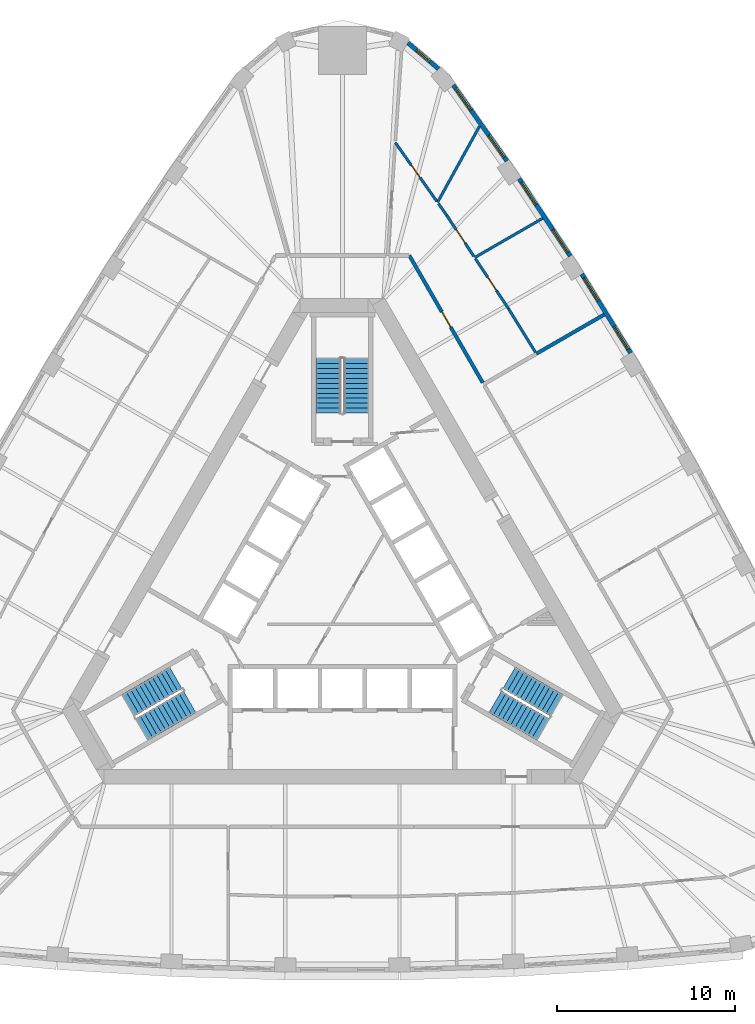
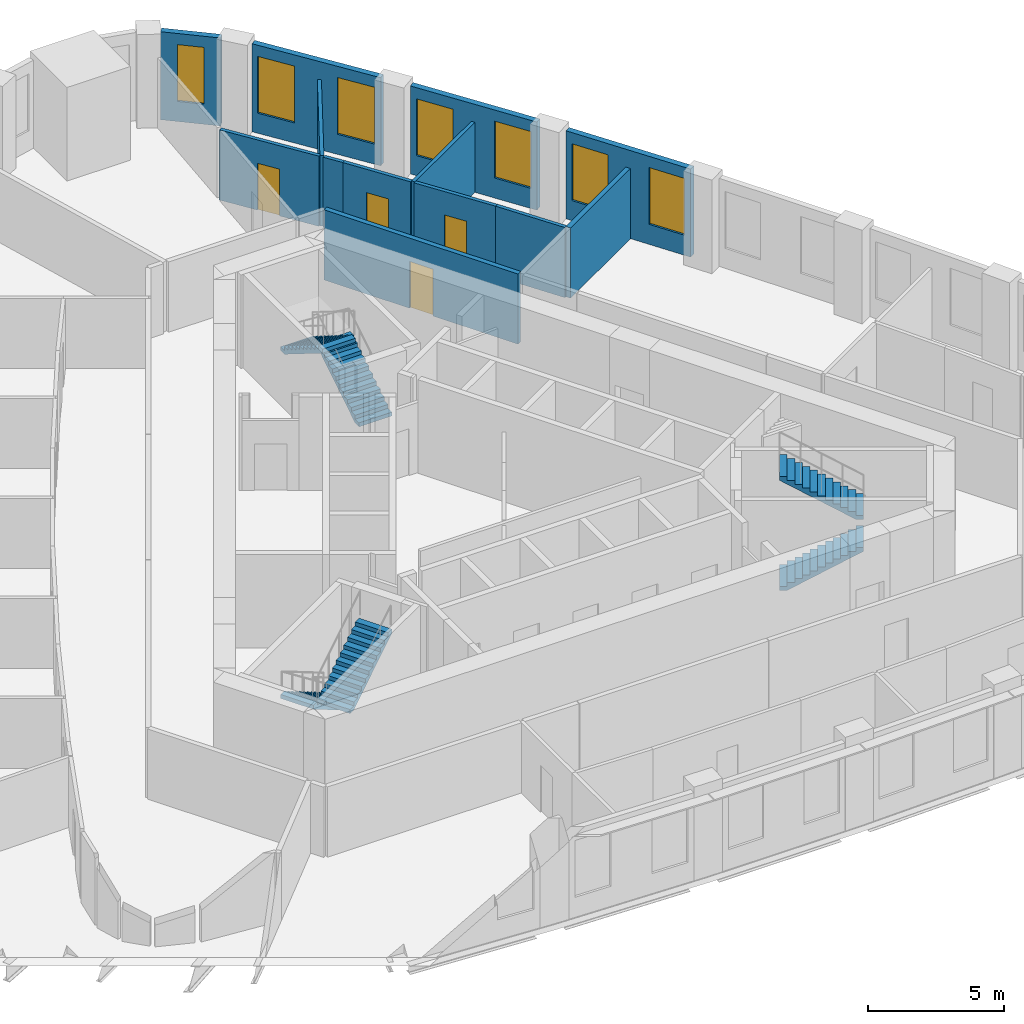
# One storey, part 10 of 11: 13 walls, 7 windows, 6 stair flights, 4 doors, 11 openings, 3 elements without a shape of their own.
"""IFC4 building model written with IfcOpenShell, lengths in metres."""

from ifc_helpers import new_model, si_unit, direction, frame, frame_2d, origin, place, context, subcontext, project, spatial, polyline, rectangle, outline, extrude, material, layer, layer_set, type_object, element, fill, aggregate, save


model = new_model("IFC4")

# Units and contexts
model_context = context("Model", 3, precision=1e-05, world=origin(), true_north=direction((0.0, 1.0)))
body_context = subcontext(model_context, "Body", "Model", "MODEL_VIEW")
ifc_project = project(units=[si_unit("LENGTHUNIT", "METRE"), si_unit("AREAUNIT", "SQUARE_METRE"), si_unit("VOLUMEUNIT", "CUBIC_METRE"), si_unit("PLANEANGLEUNIT", "RADIAN"), si_unit("MASSUNIT", "GRAM", prefix="KILO")], contexts=[model_context])

# Site, building, storey
site_placement = place(None, origin())
site = spatial("IfcSite", under=ifc_project, at=site_placement, CompositionType="ELEMENT")
building_placement = place(site_placement, origin())
building = spatial("IfcBuilding", under=site, at=building_placement, Name="Mestral Congress Tower", CompositionType="ELEMENT")
storey_placement = place(building_placement, frame((0.0, 0.0, 171.0)))
storey = spatial("IfcBuildingStorey", under=building, at=storey_placement, Name="L40", CompositionType="ELEMENT", Elevation=171.0)

# Wall, openings, windows
ifc_material_1 = material(Name="Precast concrete C40/50 with limestone facing", Category="masonry")
ifc_layer_1 = layer(ifc_material_1, 0.239990234375)
ifc_layer_set_1 = layer_set([ifc_layer_1], Name="Precast concrete C40/50 with limestone facing")
wall_type_1 = type_object("IfcWallType", Name="Facade stone wall 240", PredefinedType="SOLIDWALL", material=ifc_layer_set_1)
wall_1_placement = place(storey_placement, frame((16.170654296875, 13.731201171875, 0.0), z_axis=(0.0, 0.0, 1.0), x_axis=(-0.526197926587, 0.850362124072, 0.0)))
wall_1 = element("IfcWall", 1, at=wall_1_placement, inside=storey, type_object=wall_type_1, Name="Facade wall F1-04", PredefinedType="SOLIDWALL", context=body_context, shape_type="SweptSolid", body=[
    extrude(rectangle(XDim=5.203369140625, YDim=0.239990234375, at=frame_2d((2.6015625, 0.0))), origin(), (0.0, 0.0, 1.0), 3.949951171875),
])
opening_1_placement = place(wall_1_placement, frame((0.248291015625, 0.0, 0.89990234375)))
opening_1 = element("IfcOpeningElement", 2, at=opening_1_placement, cuts=wall_1, Name="Opening W4", PredefinedType="OPENING", context=body_context, shape_type="SweptSolid", body=[
    extrude(rectangle(XDim=1.5, YDim=2.550048828125, at=frame_2d((0.75, 1.27490234375))), frame((0.0, 0.1298828125, 0.0), z_axis=(0.0, -1.0, 0.0), x_axis=(1.0, 0.0, 0.0)), (0.0, 0.0, 1.0), 0.260009765625),
])
opening_2_placement = place(wall_1_placement, frame((3.455078125, 0.0, 0.89990234375)))
opening_2 = element("IfcOpeningElement", 3, at=opening_2_placement, cuts=wall_1, Name="Opening W4", PredefinedType="OPENING", context=body_context, shape_type="SweptSolid", body=[
    extrude(rectangle(XDim=1.5, YDim=2.550048828125, at=frame_2d((0.75, 1.27490234375))), frame((0.0, 0.1298828125, 0.0), z_axis=(0.0, -1.0, 0.0), x_axis=(1.0, 0.0, 0.0)), (0.0, 0.0, 1.0), 0.260009765625),
])
ifc_material_2 = material(Name="Clear low-emissivity double glazing", Category="glass")
window_type_1 = type_object("IfcWindowType", Name="Facade punched window 1500 x 2550 sill 900", PartitioningType="SINGLE_PANEL", PredefinedType="WINDOW", material=ifc_material_2)
window_1_placement = place(opening_1_placement, origin())
window_1 = element("IfcWindow", 4, at=window_1_placement, inside=storey, type_object=window_type_1, Name="Window F1-04a", OverallHeight=2.550048828125, OverallWidth=1.5, PartitioningType="SINGLE_PANEL", PredefinedType="WINDOW", context=body_context, shape_type="SweptSolid", body=[
    extrude(rectangle(XDim=1.5, YDim=2.550048828125, at=frame_2d((0.75, 1.27490234375))), frame((0.0, 0.0400390625, 0.0), z_axis=(0.0, -1.0, 0.0), x_axis=(1.0, 0.0, 0.0)), (0.0, 0.0, 1.0), 0.06005859375),
])
fill(opening_1, window_1)
window_2_placement = place(opening_2_placement, origin())
window_2 = element("IfcWindow", 5, at=window_2_placement, inside=storey, type_object=window_type_1, Name="Window F1-04b", OverallHeight=2.550048828125, OverallWidth=1.5, PartitioningType="SINGLE_PANEL", PredefinedType="WINDOW", context=body_context, shape_type="SweptSolid", body=[
    extrude(rectangle(XDim=1.5, YDim=2.550048828125, at=frame_2d((0.75, 1.27490234375))), frame((0.0, 0.0400390625, 0.0), z_axis=(0.0, -1.0, 0.0), x_axis=(1.0, 0.0, 0.0)), (0.0, 0.0, 1.0), 0.06005859375),
])
fill(opening_2, window_2)

wall_2_placement = place(storey_placement, frame((12.783203125, 19.170654296875, 0.0), z_axis=(0.0, 0.0, 1.0), x_axis=(-0.551892811511, 0.833915058386, 0.0)))
wall_2 = element("IfcWall", 6, at=wall_2_placement, inside=storey, type_object=wall_type_1, Name="Facade wall F1-05", PredefinedType="SOLIDWALL", context=body_context, shape_type="SweptSolid", body=[
    extrude(rectangle(XDim=5.20361328125, YDim=0.239990234375, at=frame_2d((2.601806640625, 0.0))), origin(), (0.0, 0.0, 1.0), 3.949951171875),
])
opening_3_placement = place(wall_2_placement, frame((0.248291015625, 0.0, 0.89990234375)))
opening_3 = element("IfcOpeningElement", 7, at=opening_3_placement, cuts=wall_2, Name="Opening W4", PredefinedType="OPENING", context=body_context, shape_type="SweptSolid", body=[
    extrude(rectangle(XDim=1.5, YDim=2.550048828125, at=frame_2d((0.75, 1.27490234375))), frame((0.0, 0.1298828125, 0.0), z_axis=(0.0, -1.0, 0.0), x_axis=(1.0, 0.0, 0.0)), (0.0, 0.0, 1.0), 0.260009765625),
])
opening_4_placement = place(wall_2_placement, frame((3.455078125, 0.0, 0.89990234375)))
opening_4 = element("IfcOpeningElement", 8, at=opening_4_placement, cuts=wall_2, Name="Opening W4", PredefinedType="OPENING", context=body_context, shape_type="SweptSolid", body=[
    extrude(rectangle(XDim=1.5, YDim=2.550048828125, at=frame_2d((0.75, 1.27490234375))), frame((0.0, 0.1298828125, 0.0), z_axis=(0.0, -1.0, 0.0), x_axis=(1.0, 0.0, 0.0)), (0.0, 0.0, 1.0), 0.260009765625),
])
window_3_placement = place(opening_3_placement, origin())
window_3 = element("IfcWindow", 9, at=window_3_placement, inside=storey, type_object=window_type_1, Name="Window F1-05a", OverallHeight=2.550048828125, OverallWidth=1.5, PartitioningType="SINGLE_PANEL", PredefinedType="WINDOW", context=body_context, shape_type="SweptSolid", body=[
    extrude(rectangle(XDim=1.5, YDim=2.550048828125, at=frame_2d((0.75, 1.27490234375))), frame((0.0, 0.0400390625, 0.0), z_axis=(0.0, -1.0, 0.0), x_axis=(1.0, 0.0, 0.0)), (0.0, 0.0, 1.0), 0.06005859375),
])
fill(opening_3, window_3)
window_4_placement = place(opening_4_placement, origin())
window_4 = element("IfcWindow", 10, at=window_4_placement, inside=storey, type_object=window_type_1, Name="Window F1-05b", OverallHeight=2.550048828125, OverallWidth=1.5, PartitioningType="SINGLE_PANEL", PredefinedType="WINDOW", context=body_context, shape_type="SweptSolid", body=[
    extrude(rectangle(XDim=1.5, YDim=2.550048828125, at=frame_2d((0.75, 1.27490234375))), frame((0.0, 0.0400390625, 0.0), z_axis=(0.0, -1.0, 0.0), x_axis=(1.0, 0.0, 0.0)), (0.0, 0.0, 1.0), 0.06005859375),
])
fill(opening_4, window_4)

wall_3_placement = place(storey_placement, frame((9.231201171875, 24.50439453125, 0.0), z_axis=(0.0, 0.0, 1.0), x_axis=(-0.577115207679, 0.816662743772, 0.0)))
wall_3 = element("IfcWall", 11, at=wall_3_placement, inside=storey, type_object=wall_type_1, Name="Facade wall F1-06", PredefinedType="SOLIDWALL", context=body_context, shape_type="SweptSolid", body=[
    extrude(rectangle(XDim=5.213134765625, YDim=0.239990234375, at=frame_2d((2.6064453125, 0.0))), origin(), (0.0, 0.0, 1.0), 3.949951171875),
])
opening_5_placement = place(wall_3_placement, frame((0.2607421875, 0.0, 0.89990234375)))
opening_5 = element("IfcOpeningElement", 12, at=opening_5_placement, cuts=wall_3, Name="Opening W4", PredefinedType="OPENING", context=body_context, shape_type="SweptSolid", body=[
    extrude(rectangle(XDim=1.5, YDim=2.550048828125, at=frame_2d((0.75, 1.27490234375))), frame((0.0, 0.1298828125, 0.0), z_axis=(0.0, -1.0, 0.0), x_axis=(1.0, 0.0, 0.0)), (0.0, 0.0, 1.0), 0.260009765625),
])
opening_6_placement = place(wall_3_placement, frame((3.492431640625, 0.0, 0.89990234375)))
opening_6 = element("IfcOpeningElement", 13, at=opening_6_placement, cuts=wall_3, Name="Opening W4", PredefinedType="OPENING", context=body_context, shape_type="SweptSolid", body=[
    extrude(rectangle(XDim=1.5, YDim=2.550048828125, at=frame_2d((0.75, 1.27490234375))), frame((0.0, 0.1298828125, 0.0), z_axis=(0.0, -1.0, 0.0), x_axis=(1.0, 0.0, 0.0)), (0.0, 0.0, 1.0), 0.260009765625),
])
window_5_placement = place(opening_5_placement, origin())
window_5 = element("IfcWindow", 14, at=window_5_placement, inside=storey, type_object=window_type_1, Name="Window F1-06a", OverallHeight=2.550048828125, OverallWidth=1.5, PartitioningType="SINGLE_PANEL", PredefinedType="WINDOW", context=body_context, shape_type="SweptSolid", body=[
    extrude(rectangle(XDim=1.5, YDim=2.550048828125, at=frame_2d((0.75, 1.27490234375))), frame((0.0, 0.0400390625, 0.0), z_axis=(0.0, -1.0, 0.0), x_axis=(1.0, 0.0, 0.0)), (0.0, 0.0, 1.0), 0.06005859375),
])
fill(opening_5, window_5)
window_6_placement = place(opening_6_placement, origin())
window_6 = element("IfcWindow", 15, at=window_6_placement, inside=storey, type_object=window_type_1, Name="Window F1-06b", OverallHeight=2.550048828125, OverallWidth=1.5, PartitioningType="SINGLE_PANEL", PredefinedType="WINDOW", context=body_context, shape_type="SweptSolid", body=[
    extrude(rectangle(XDim=1.5, YDim=2.550048828125, at=frame_2d((0.75, 1.27490234375))), frame((0.0, 0.0400390625, 0.0), z_axis=(0.0, -1.0, 0.0), x_axis=(1.0, 0.0, 0.0)), (0.0, 0.0, 1.0), 0.06005859375),
])
fill(opening_6, window_6)

# Wall, opening, window
wall_4_placement = place(storey_placement, frame((5.3916015625, 29.672119140625, 0.0), z_axis=(0.0, 0.0, 1.0), x_axis=(-0.761419744247, 0.648259186645, 0.0)))
wall_4 = element("IfcWall", 16, at=wall_4_placement, inside=storey, type_object=wall_type_1, Name="Facade wall K1-0", PredefinedType="SOLIDWALL", context=body_context, shape_type="SweptSolid", body=[
    extrude(rectangle(XDim=2.250244140625, YDim=0.239990234375, at=frame_2d((1.125, 0.0))), origin(), (0.0, 0.0, 1.0), 3.949951171875),
])
opening_7_placement = place(wall_4_placement, frame((0.625244140625, 0.0, 0.89990234375)))
opening_7 = element("IfcOpeningElement", 17, at=opening_7_placement, cuts=wall_4, Name="Opening W5", PredefinedType="OPENING", context=body_context, shape_type="SweptSolid", body=[
    extrude(rectangle(XDim=1.0, YDim=2.550048828125, at=frame_2d((0.5, 1.27490234375))), frame((0.0, 0.1298828125, 0.0), z_axis=(0.0, -1.0, 0.0), x_axis=(1.0, 0.0, 0.0)), (0.0, 0.0, 1.0), 0.260009765625),
])
window_type_2 = type_object("IfcWindowType", Name="Facade punched window 1000 x 2550 sill 900", PartitioningType="SINGLE_PANEL", PredefinedType="WINDOW", material=ifc_material_2)
window_7_placement = place(opening_7_placement, origin())
window_7 = element("IfcWindow", 18, at=window_7_placement, inside=storey, type_object=window_type_2, Name="Window K1-0", OverallHeight=2.550048828125, OverallWidth=1.0, PartitioningType="SINGLE_PANEL", PredefinedType="WINDOW", context=body_context, shape_type="SweptSolid", body=[
    extrude(rectangle(XDim=1.0, YDim=2.550048828125, at=frame_2d((0.5, 1.27490234375))), frame((0.0, 0.0400390625, 0.0), z_axis=(0.0, -1.0, 0.0), x_axis=(1.0, 0.0, 0.0)), (0.0, 0.0, 1.0), 0.06005859375),
])
fill(opening_7, window_7)

# Walls
ifc_material_3 = material(Name="Plasterboard partition on steel studs", Category="steel")
ifc_layer_2 = layer(ifc_material_3, 0.14990234375)
ifc_layer_set_2 = layer_set([ifc_layer_2], Name="Plasterboard partition on steel studs")
wall_type_2 = type_object("IfcWallType", Name="Office partition 150", PredefinedType="PARTITIONING", material=ifc_layer_set_2)
wall_5_placement = place(storey_placement, frame((7.419921875, 19.084716796875, 0.0), z_axis=(0.0, 0.0, 1.0), x_axis=(0.866012184407, 0.500022895934, 0.0)))
element("IfcWall", 19, at=wall_5_placement, inside=storey, type_object=wall_type_2, Name="Partition", PredefinedType="PARTITIONING", context=body_context, shape_type="SweptSolid", body=[
    extrude(rectangle(XDim=4.407958984375, YDim=0.14990234375, at=frame_2d((2.2041015625, 0.0))), origin(), (0.0, 0.0, 1.0), 3.14990234375),
])
wall_6_placement = place(storey_placement, frame((10.830078125, 13.772216796875, 0.0), z_axis=(0.0, 0.0, 1.0), x_axis=(-0.526229630206, 0.850342505284, 0.0)))
element("IfcWall", 20, at=wall_6_placement, inside=storey, type_object=wall_type_2, Name="Partition", PredefinedType="PARTITIONING", context=body_context, shape_type="SweptSolid", body=[
    extrude(rectangle(XDim=2.891845703125, YDim=0.14990234375, at=frame_2d((1.44580078125, 0.0))), origin(), (0.0, 0.0, 1.0), 3.14990234375),
])

# Wall, opening, door
wall_7_placement = place(storey_placement, frame((7.461181640625, 19.022216796875, 0.0), z_axis=(0.0, 0.0, 1.0), x_axis=(0.551902709159, -0.833908507945, 0.0)))
wall_7 = element("IfcWall", 21, at=wall_7_placement, inside=storey, type_object=wall_type_2, Name="Partition", PredefinedType="PARTITIONING", context=body_context, shape_type="SweptSolid", body=[
    extrude(rectangle(XDim=3.346923828125, YDim=0.14990234375, at=frame_2d((1.67333984375, 0.0))), origin(), (0.0, 0.0, 1.0), 3.14990234375),
])
opening_8_placement = place(wall_7_placement, frame((1.24658203125, 0.0, 0.0)))
opening_8 = element("IfcOpeningElement", 22, at=opening_8_placement, cuts=wall_7, Name="Opening O03-009", PredefinedType="OPENING", context=body_context, shape_type="SweptSolid", body=[
    extrude(rectangle(XDim=0.89990234375, YDim=2.10009765625, at=frame_2d((0.449951171875, 1.050048828125))), frame((0.0, 0.0849609375, 0.0), z_axis=(0.0, -1.0, 0.0), x_axis=(1.0, 0.0, 0.0)), (0.0, 0.0, 1.0), 0.169921875),
])
ifc_material_4 = material(Name="Timber door set", Category="wood")
door_type_1 = type_object("IfcDoorType", Name="Office door 900x2100", OperationType="SINGLE_SWING_LEFT", PredefinedType="DOOR", material=ifc_material_4)
door_1_placement = place(opening_8_placement, origin())
door_1 = element("IfcDoor", 23, at=door_1_placement, inside=storey, type_object=door_type_1, Name="Door O03-009", OperationType="SINGLE_SWING_RIGHT", OverallHeight=2.10009765625, OverallWidth=0.89990234375, PredefinedType="DOOR", context=body_context, shape_type="SweptSolid", body=[
    extrude(rectangle(XDim=0.89990234375, YDim=2.10009765625, at=frame_2d((0.449951171875, 1.050048828125))), frame((0.0, 0.02490234375, 0.0), z_axis=(0.0, -1.0, 0.0), x_axis=(1.0, 0.0, 0.0)), (0.0, 0.0, 1.0), 0.050048828125),
])
fill(opening_8, door_1)

# Wall
wall_8_placement = place(storey_placement, frame((5.336669921875, 22.183349609375, 0.0), z_axis=(0.0, 0.0, 1.0), x_axis=(0.482995509385, 0.875622828571, 0.0)))
element("IfcWall", 24, at=wall_8_placement, inside=storey, type_object=wall_type_2, Name="Partition", PredefinedType="PARTITIONING", context=body_context, shape_type="SweptSolid", body=[
    extrude(rectangle(XDim=4.889892578125, YDim=0.14990234375, at=frame_2d((2.44482421875, 0.0))), origin(), (0.0, 0.0, 1.0), 3.14990234375),
])

# Wall, opening, door
wall_9_placement = place(storey_placement, frame((5.84765625, 21.460205078125, 0.0), z_axis=(0.0, 0.0, 1.0), x_axis=(0.551934419249, -0.833887520502, 0.0)))
wall_9 = element("IfcWall", 25, at=wall_9_placement, inside=storey, type_object=wall_type_2, Name="Partition", PredefinedType="PARTITIONING", context=body_context, shape_type="SweptSolid", body=[
    extrude(rectangle(XDim=2.7734375, YDim=0.14990234375, at=frame_2d((1.38671875, 0.0))), origin(), (0.0, 0.0, 1.0), 3.14990234375),
])
opening_9_placement = place(wall_9_placement, frame((0.973388671875, 0.0, 0.0)))
opening_9 = element("IfcOpeningElement", 26, at=opening_9_placement, cuts=wall_9, Name="Opening O03-010", PredefinedType="OPENING", context=body_context, shape_type="SweptSolid", body=[
    extrude(rectangle(XDim=0.89990234375, YDim=2.10009765625, at=frame_2d((0.449951171875, 1.050048828125))), frame((0.0, 0.0849609375, 0.0), z_axis=(0.0, -1.0, 0.0), x_axis=(1.0, 0.0, 0.0)), (0.0, 0.0, 1.0), 0.169921875),
])
door_2_placement = place(opening_9_placement, origin())
door_2 = element("IfcDoor", 27, at=door_2_placement, inside=storey, type_object=door_type_1, Name="Door O03-010", OperationType="SINGLE_SWING_RIGHT", OverallHeight=2.10009765625, OverallWidth=0.89990234375, PredefinedType="DOOR", context=body_context, shape_type="SweptSolid", body=[
    extrude(rectangle(XDim=0.89990234375, YDim=2.10009765625, at=frame_2d((0.449951171875, 1.050048828125))), frame((0.0, 0.02490234375, 0.0), z_axis=(0.0, -1.0, 0.0), x_axis=(1.0, 0.0, 0.0)), (0.0, 0.0, 1.0), 0.050048828125),
])
fill(opening_9, door_2)

# Wall
wall_10_placement = place(storey_placement, frame((5.84765625, 21.460205078125, 0.0), z_axis=(0.0, 0.0, 1.0), x_axis=(-0.577113333385, 0.816664068286, 0.0)))
element("IfcWall", 28, at=wall_10_placement, inside=storey, type_object=wall_type_2, Name="Partition", PredefinedType="PARTITIONING", context=body_context, shape_type="SweptSolid", body=[
    extrude(rectangle(XDim=0.802001953125, YDim=0.14990234375, at=frame_2d((0.40087890625, 0.0))), origin(), (0.0, 0.0, 1.0), 3.14990234375),
])

# Wall, opening, door
wall_11_placement = place(storey_placement, frame((2.965576171875, 25.538818359375, 0.0), z_axis=(0.0, 0.0, 1.0), x_axis=(0.577099839594, -0.816673603798, 0.0)))
wall_11 = element("IfcWall", 29, at=wall_11_placement, inside=storey, type_object=wall_type_2, Name="Partition", PredefinedType="PARTITIONING", context=body_context, shape_type="SweptSolid", body=[
    extrude(rectangle(XDim=4.025390625, YDim=0.14990234375, at=frame_2d((2.0126953125, 0.0))), origin(), (0.0, 0.0, 1.0), 3.14990234375),
])
opening_10_placement = place(wall_11_placement, frame((1.525390625, 0.0, 0.0)))
opening_10 = element("IfcOpeningElement", 30, at=opening_10_placement, cuts=wall_11, Name="Opening O03-011", PredefinedType="OPENING", context=body_context, shape_type="SweptSolid", body=[
    extrude(rectangle(XDim=0.89990234375, YDim=2.10009765625, at=frame_2d((0.449951171875, 1.050048828125))), frame((0.0, 0.0849609375, 0.0), z_axis=(0.0, -1.0, 0.0), x_axis=(1.0, 0.0, 0.0)), (0.0, 0.0, 1.0), 0.169921875),
])
door_3_placement = place(opening_10_placement, origin())
door_3 = element("IfcDoor", 31, at=door_3_placement, inside=storey, type_object=door_type_1, Name="Door O03-011", OperationType="SINGLE_SWING_LEFT", OverallHeight=2.10009765625, OverallWidth=0.89990234375, PredefinedType="DOOR", context=body_context, shape_type="SweptSolid", body=[
    extrude(rectangle(XDim=0.89990234375, YDim=2.10009765625, at=frame_2d((0.449951171875, 1.050048828125))), frame((0.0, 0.02490234375, 0.0), z_axis=(0.0, -1.0, 0.0), x_axis=(1.0, 0.0, 0.0)), (0.0, 0.0, 1.0), 0.050048828125),
])
fill(opening_10, door_3)

# Wall
ifc_material_5 = material(Name="Dense masonry wall, plastered", Category="masonry")
ifc_layer_3 = layer(ifc_material_5, 0.199951171875)
ifc_layer_set_3 = layer_set([ifc_layer_3], Name="Dense masonry wall, plastered")
wall_type_3 = type_object("IfcWallType", Name="Office tenancy wall 200", PredefinedType="PARTITIONING", material=ifc_layer_set_3)
wall_12_placement = place(storey_placement, frame((10.879150390625, 13.68505859375, 0.0), z_axis=(0.0, 0.0, 1.0), x_axis=(0.866035177799, 0.499983070528, 0.0)))
element("IfcWall", 32, at=wall_12_placement, inside=storey, type_object=wall_type_3, Name="Tenancy wall", PredefinedType="PARTITIONING", context=body_context, shape_type="SweptSolid", body=[
    extrude(rectangle(XDim=4.406005859375, YDim=0.199951171875, at=frame_2d((2.203125, 0.0))), origin(), (0.0, 0.0, 1.0), 3.14990234375),
])

# Wall, opening, door
wall_13_placement = place(storey_placement, frame((7.872314453125, 12.064453125, 0.0), z_axis=(0.0, 0.0, 1.0), x_axis=(-0.499995192696, 0.866028179265, 0.0)))
wall_13 = element("IfcWall", 33, at=wall_13_placement, inside=storey, type_object=wall_type_3, Name="Tenancy wall", PredefinedType="PARTITIONING", context=body_context, shape_type="SweptSolid", body=[
    extrude(rectangle(XDim=8.2392578125, YDim=0.199951171875, at=frame_2d((4.11962890625, 0.0))), origin(), (0.0, 0.0, 1.0), 3.14990234375),
])
opening_11_placement = place(wall_13_placement, frame((3.60009765625, 0.0, 0.0)))
opening_11 = element("IfcOpeningElement", 34, at=opening_11_placement, cuts=wall_13, Name="Opening O03-012", PredefinedType="OPENING", context=body_context, shape_type="SweptSolid", body=[
    extrude(rectangle(XDim=1.0, YDim=2.10009765625, at=frame_2d((0.5, 1.050048828125))), frame((0.0, 0.10986328125, 0.0), z_axis=(0.0, -1.0, 0.0), x_axis=(1.0, 0.0, 0.0)), (0.0, 0.0, 1.0), 0.219970703125),
])
ifc_material_6 = material(Name="Fire-rated timber door set", Category="wood")
door_type_2 = type_object("IfcDoorType", Name="Office tenancy entrance door 1000x2100", OperationType="SINGLE_SWING_LEFT", PredefinedType="DOOR", material=ifc_material_6)
door_4_placement = place(opening_11_placement, origin())
door_4 = element("IfcDoor", 35, at=door_4_placement, inside=storey, type_object=door_type_2, Name="Door O03-012", OperationType="SINGLE_SWING_LEFT", OverallHeight=2.10009765625, OverallWidth=1.0, PredefinedType="DOOR", context=body_context, shape_type="SweptSolid", body=[
    extrude(rectangle(XDim=1.0, YDim=2.10009765625, at=frame_2d((0.5, 1.050048828125))), frame((0.0, 0.02490234375, 0.0), z_axis=(0.0, -1.0, 0.0), x_axis=(1.0, 0.0, 0.0)), (0.0, 0.0, 1.0), 0.050048828125),
])
fill(opening_11, door_4)

# Stair, stair flights
ifc_material_7 = material(Name="Concrete C60/75", Category="concrete")
stair_type = type_object("IfcStairType", Name="Exit stair 1400", PredefinedType="HALF_TURN_STAIR", material=ifc_material_7)
placement = place(storey_placement, origin())
stair_1 = element("IfcStair", 36, at=placement, inside=storey, type_object=stair_type, Name="L40 ST1", PredefinedType="HALF_TURN_STAIR")
stair_flight_type = type_object("IfcStairFlightType", Name="Exit stair flight 1400", PredefinedType="STRAIGHT", material=ifc_material_7)
stair_flight_1_placement = place(storey_placement, frame((8.575927734375, -5.84619140625, 0.0), z_axis=(0.0, 0.0, 1.0), x_axis=(0.866025403784, -0.5, 0.0)))
stair_flight_1 = element("IfcStairFlight", 37, at=stair_flight_1_placement, type_object=stair_flight_type, Name="ST1 flight 1", NumberOfRisers=12, NumberOfTreads=11, PredefinedType="STRAIGHT", RiserHeight=0.175, TreadLength=0.28, context=body_context, shape_type="SweptSolid", body=[
    extrude(outline(polyline([(0.0, 0.0), (0.0, 0.175048828125), (0.280029296875, 0.175048828125), (0.280029296875, 0.35009765625), (0.56005859375, 0.35009765625), (0.56005859375, 0.52490234375), (0.840087890625, 0.52490234375), (0.840087890625, 0.699951171875), (1.1201171875, 0.699951171875), (1.1201171875, 0.875), (1.39990234375, 0.875), (1.39990234375, 1.050048828125), (1.679931640625, 1.050048828125), (1.679931640625, 1.22509765625), (1.9599609375, 1.22509765625), (1.9599609375, 1.39990234375), (2.239990234375, 1.39990234375), (2.239990234375, 1.574951171875), (2.52001953125, 1.574951171875), (2.52001953125, 1.75), (2.800048828125, 1.75), (2.800048828125, 1.925048828125), (3.080078125, 1.925048828125), (3.080078125, 2.10009765625), (3.080078125, 1.748291015625), (0.28271484375, 0.0), (0.0, 0.0)])), frame((0.0, 0.699951171875, 0.0), z_axis=(0.0, -1.0, 0.0), x_axis=(1.0, 0.0, 0.0)), (0.0, 0.0, 1.0), 1.39990234375),
])
stair_flight_2_placement = place(storey_placement, frame((12.018310546875, -6.0439453125, 2.10009765625), z_axis=(0.0, 0.0, 1.0), x_axis=(-0.866025403784, 0.5, 0.0)))
stair_flight_2 = element("IfcStairFlight", 38, at=stair_flight_2_placement, type_object=stair_flight_type, Name="ST1 flight 2", NumberOfRisers=12, NumberOfTreads=11, PredefinedType="STRAIGHT", RiserHeight=0.175, TreadLength=0.28, context=body_context, shape_type="SweptSolid", body=[
    extrude(outline(polyline([(0.0, 0.0), (0.0, 0.175048828125), (0.280029296875, 0.175048828125), (0.280029296875, 0.35009765625), (0.56005859375, 0.35009765625), (0.56005859375, 0.52490234375), (0.840087890625, 0.52490234375), (0.840087890625, 0.699951171875), (1.1201171875, 0.699951171875), (1.1201171875, 0.875), (1.39990234375, 0.875), (1.39990234375, 1.050048828125), (1.679931640625, 1.050048828125), (1.679931640625, 1.22509765625), (1.9599609375, 1.22509765625), (1.9599609375, 1.39990234375), (2.239990234375, 1.39990234375), (2.239990234375, 1.574951171875), (2.52001953125, 1.574951171875), (2.52001953125, 1.75), (2.800048828125, 1.75), (2.800048828125, 1.925048828125), (3.080078125, 1.925048828125), (3.080078125, 2.10009765625), (3.080078125, 1.748291015625), (0.28271484375, 0.0), (0.0, 0.0)])), frame((0.0, 0.699951171875, 0.0), z_axis=(0.0, -1.0, 0.0), x_axis=(1.0, 0.0, 0.0)), (0.0, 0.0, 1.0), 1.39990234375),
])
aggregate(stair_1, [stair_flight_1, stair_flight_2])

stair_2 = element("IfcStair", 39, at=placement, inside=storey, type_object=stair_type, Name="L40 ST2", PredefinedType="HALF_TURN_STAIR")
stair_flight_3_placement = place(storey_placement, frame((0.77490234375, 10.35009765625, 0.0), z_axis=(0.0, 0.0, 1.0), x_axis=(0.0, 1.0, 0.0)))
stair_flight_3 = element("IfcStairFlight", 40, at=stair_flight_3_placement, type_object=stair_flight_type, Name="ST2 flight 1", NumberOfRisers=12, NumberOfTreads=11, PredefinedType="STRAIGHT", RiserHeight=0.175, TreadLength=0.28, context=body_context, shape_type="SweptSolid", body=[
    extrude(outline(polyline([(0.0, 0.0), (0.0, 0.175048828125), (0.280029296875, 0.175048828125), (0.280029296875, 0.35009765625), (0.56005859375, 0.35009765625), (0.56005859375, 0.52490234375), (0.840087890625, 0.52490234375), (0.840087890625, 0.699951171875), (1.1201171875, 0.699951171875), (1.1201171875, 0.875), (1.39990234375, 0.875), (1.39990234375, 1.050048828125), (1.679931640625, 1.050048828125), (1.679931640625, 1.22509765625), (1.9599609375, 1.22509765625), (1.9599609375, 1.39990234375), (2.239990234375, 1.39990234375), (2.239990234375, 1.574951171875), (2.52001953125, 1.574951171875), (2.52001953125, 1.75), (2.800048828125, 1.75), (2.800048828125, 1.925048828125), (3.080078125, 1.925048828125), (3.080078125, 2.10009765625), (3.080078125, 1.748291015625), (0.28271484375, 0.0), (0.0, 0.0)])), frame((0.0, 0.699951171875, 0.0), z_axis=(0.0, -1.0, 0.0), x_axis=(1.0, 0.0, 0.0)), (0.0, 0.0, 1.0), 1.39990234375),
])
stair_flight_4_placement = place(storey_placement, frame((-0.77490234375, 13.429931640625, 2.10009765625), z_axis=(0.0, 0.0, 1.0), x_axis=(0.0, -1.0, 0.0)))
stair_flight_4 = element("IfcStairFlight", 41, at=stair_flight_4_placement, type_object=stair_flight_type, Name="ST2 flight 2", NumberOfRisers=12, NumberOfTreads=11, PredefinedType="STRAIGHT", RiserHeight=0.175, TreadLength=0.28, context=body_context, shape_type="SweptSolid", body=[
    extrude(outline(polyline([(0.0, 0.0), (0.0, 0.175048828125), (0.280029296875, 0.175048828125), (0.280029296875, 0.35009765625), (0.56005859375, 0.35009765625), (0.56005859375, 0.52490234375), (0.840087890625, 0.52490234375), (0.840087890625, 0.699951171875), (1.1201171875, 0.699951171875), (1.1201171875, 0.875), (1.39990234375, 0.875), (1.39990234375, 1.050048828125), (1.679931640625, 1.050048828125), (1.679931640625, 1.22509765625), (1.9599609375, 1.22509765625), (1.9599609375, 1.39990234375), (2.239990234375, 1.39990234375), (2.239990234375, 1.574951171875), (2.52001953125, 1.574951171875), (2.52001953125, 1.75), (2.800048828125, 1.75), (2.800048828125, 1.925048828125), (3.080078125, 1.925048828125), (3.080078125, 2.10009765625), (3.080078125, 1.748291015625), (0.28271484375, 0.0), (0.0, 0.0)])), frame((0.0, 0.699951171875, 0.0), z_axis=(0.0, -1.0, 0.0), x_axis=(1.0, 0.0, 0.0)), (0.0, 0.0, 1.0), 1.39990234375),
])
aggregate(stair_2, [stair_flight_3, stair_flight_4])

stair_3 = element("IfcStair", 42, at=placement, inside=storey, type_object=stair_type, Name="L40 ST3", PredefinedType="HALF_TURN_STAIR")
stair_flight_5_placement = place(storey_placement, frame((-9.350830078125, -4.50390625, 0.0), z_axis=(0.0, 0.0, 1.0), x_axis=(-0.866025403784, -0.5, 0.0)))
stair_flight_5 = element("IfcStairFlight", 43, at=stair_flight_5_placement, type_object=stair_flight_type, Name="ST3 flight 1", NumberOfRisers=12, NumberOfTreads=11, PredefinedType="STRAIGHT", RiserHeight=0.175, TreadLength=0.28, context=body_context, shape_type="SweptSolid", body=[
    extrude(outline(polyline([(0.0, 0.0), (0.0, 0.175048828125), (0.280029296875, 0.175048828125), (0.280029296875, 0.35009765625), (0.56005859375, 0.35009765625), (0.56005859375, 0.52490234375), (0.840087890625, 0.52490234375), (0.840087890625, 0.699951171875), (1.1201171875, 0.699951171875), (1.1201171875, 0.875), (1.39990234375, 0.875), (1.39990234375, 1.050048828125), (1.679931640625, 1.050048828125), (1.679931640625, 1.22509765625), (1.9599609375, 1.22509765625), (1.9599609375, 1.39990234375), (2.239990234375, 1.39990234375), (2.239990234375, 1.574951171875), (2.52001953125, 1.574951171875), (2.52001953125, 1.75), (2.800048828125, 1.75), (2.800048828125, 1.925048828125), (3.080078125, 1.925048828125), (3.080078125, 2.10009765625), (3.080078125, 1.748291015625), (0.28271484375, 0.0), (0.0, 0.0)])), frame((0.0, 0.699951171875, 0.0), z_axis=(0.0, -1.0, 0.0), x_axis=(1.0, 0.0, 0.0)), (0.0, 0.0, 1.0), 1.39990234375),
])
stair_flight_6_placement = place(storey_placement, frame((-11.2431640625, -7.38623046875, 2.10009765625), z_axis=(0.0, 0.0, 1.0), x_axis=(0.866025403784, 0.5, 0.0)))
stair_flight_6 = element("IfcStairFlight", 44, at=stair_flight_6_placement, type_object=stair_flight_type, Name="ST3 flight 2", NumberOfRisers=12, NumberOfTreads=11, PredefinedType="STRAIGHT", RiserHeight=0.175, TreadLength=0.28, context=body_context, shape_type="SweptSolid", body=[
    extrude(outline(polyline([(0.0, 0.0), (0.0, 0.175048828125), (0.280029296875, 0.175048828125), (0.280029296875, 0.35009765625), (0.56005859375, 0.35009765625), (0.56005859375, 0.52490234375), (0.840087890625, 0.52490234375), (0.840087890625, 0.699951171875), (1.1201171875, 0.699951171875), (1.1201171875, 0.875), (1.39990234375, 0.875), (1.39990234375, 1.050048828125), (1.679931640625, 1.050048828125), (1.679931640625, 1.22509765625), (1.9599609375, 1.22509765625), (1.9599609375, 1.39990234375), (2.239990234375, 1.39990234375), (2.239990234375, 1.574951171875), (2.52001953125, 1.574951171875), (2.52001953125, 1.75), (2.800048828125, 1.75), (2.800048828125, 1.925048828125), (3.080078125, 1.925048828125), (3.080078125, 2.10009765625), (3.080078125, 1.748291015625), (0.28271484375, 0.0), (0.0, 0.0)])), frame((0.0, 0.699951171875, 0.0), z_axis=(0.0, -1.0, 0.0), x_axis=(1.0, 0.0, 0.0)), (0.0, 0.0, 1.0), 1.39990234375),
])
aggregate(stair_3, [stair_flight_5, stair_flight_6])

save(model, "model.ifc")
